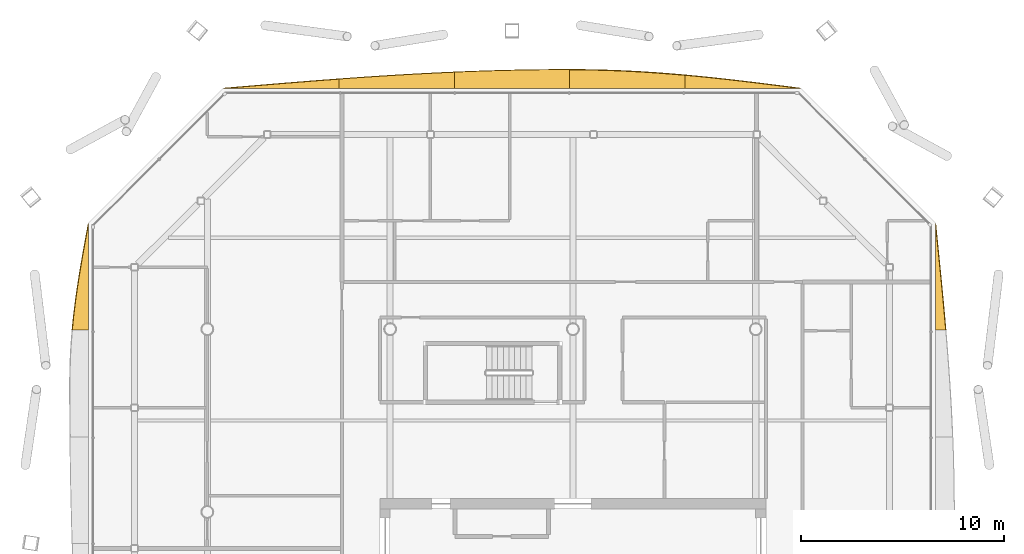
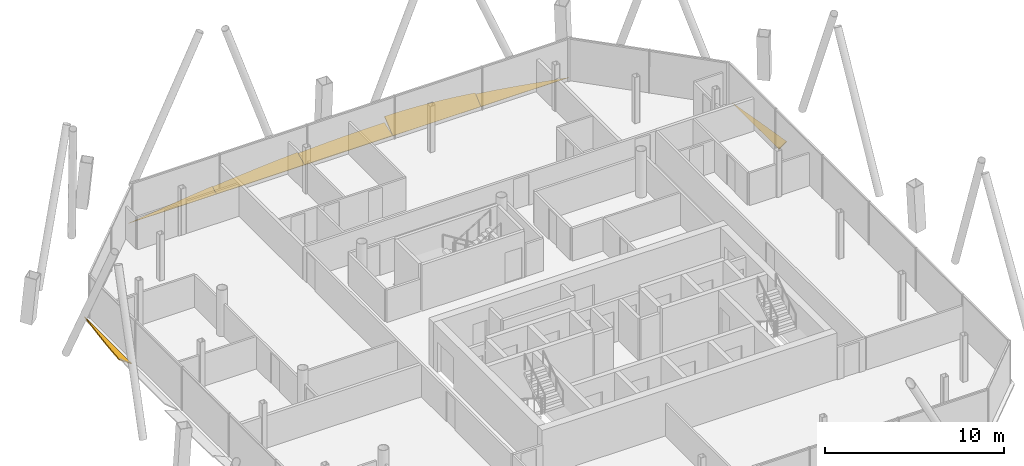
# One storey, part 20 of 20: 7 shading devices.
"""IFC4 building model written with IfcOpenShell, lengths in metres."""

import ifcopenshell
import ifcopenshell.guid

model = None  # the IFC model being written
_history = None  # IfcOwnerHistory: only IFC2X3 demands one
_inside = {}  # id of a spatial element -> (the spatial element, [elements in it])
_under = {}  # id of a project, library or spatial element -> (it, [spatial elements below it])
_declared = {}  # id of a project -> (the project, [libraries it declares])
_typed = {}  # id of a type object -> (the type object, [elements of that type])
_made_of = {}  # id of a material, layer set ... -> (it, [elements and type objects made of it])


def new_model(schema):
    """Start an empty IFC model of exactly this schema.

    Asked for "IFC4X3", IfcOpenShell would pick the latest addendum, in which some entities
    have other attributes; the version numbers below select the first issue.
    IFC2X3 requires an IfcOwnerHistory on every rooted entity: one is made here for all.
    """
    global model, _history
    if schema == "IFC4X3":
        model = ifcopenshell.file(schema_version=(4, 3, 0, 0))
    else:
        model = ifcopenshell.file(schema=schema)
    _inside.clear()
    _under.clear()
    _declared.clear()
    _typed.clear()
    _made_of.clear()
    _history = None
    if model.schema == "IFC2X3":
        org = make("IfcOrganization", Name="unknown")
        user = make(
            "IfcPersonAndOrganization",
            ThePerson=make("IfcPerson", FamilyName="unknown"),
            TheOrganization=org,
        )
        app = make(
            "IfcApplication",
            ApplicationDeveloper=org,
            Version="unknown",
            ApplicationFullName="unknown",
            ApplicationIdentifier="unknown",
        )
        _history = make(
            "IfcOwnerHistory",
            OwningUser=user,
            OwningApplication=app,
            ChangeAction="ADDED",
            CreationDate=0,
        )
    return model


def make(cls, **values):
    """One entity of the class cls with the attributes given. An attribute that is None is left unset."""
    return model.create_entity(
        cls, **{name: value for name, value in values.items() if value is not None}
    )


def rooted(cls, **values):
    """An entity with a GlobalId (a new one), such as an element, a storey or a relation."""
    return make(cls, GlobalId=ifcopenshell.guid.new(), OwnerHistory=_history, **values)


def si_unit(unit_type, name, prefix=None):
    """IfcSIUnit, for example si_unit("LENGTHUNIT", "METRE", prefix="MILLI")."""
    return make("IfcSIUnit", UnitType=unit_type, Prefix=prefix, Name=name)


def assignment(units):
    """IfcUnitAssignment: the units of a project."""
    return None if units is None else make("IfcUnitAssignment", Units=units)


def point(xyz):
    """IfcCartesianPoint."""
    return None if xyz is None else make("IfcCartesianPoint", Coordinates=xyz)


def direction(xyz):
    """IfcDirection."""
    return None if xyz is None else make("IfcDirection", DirectionRatios=xyz)


def frame(location, z_axis=None, x_axis=None):
    """IfcAxis2Placement3D, a coordinate frame: its origin and axes. An axis left out is left unset."""
    return make(
        "IfcAxis2Placement3D",
        Location=point(location),
        Axis=direction(z_axis),
        RefDirection=direction(x_axis),
    )


def origin():
    """The frame at (0, 0, 0) with its axes left unset."""
    return frame((0.0, 0.0, 0.0))


def place(relative_to, where):
    """IfcLocalPlacement: puts the frame where relative to a parent placement (None: the world)."""
    return make(
        "IfcLocalPlacement", PlacementRelTo=relative_to, RelativePlacement=where
    )


def context(
    kind, dimensions, precision=None, world=None, true_north=None, identifier=None
):
    """IfcGeometricRepresentationContext, for example the 3D "Model" context."""
    return make(
        "IfcGeometricRepresentationContext",
        ContextIdentifier=identifier,
        ContextType=kind,
        CoordinateSpaceDimension=dimensions,
        Precision=precision,
        WorldCoordinateSystem=world,
        TrueNorth=true_north,
    )


def subcontext(parent, identifier, kind, view, scale=None):
    """IfcGeometricRepresentationSubContext, for example "Body" below "Model"."""
    return make(
        "IfcGeometricRepresentationSubContext",
        ContextIdentifier=identifier,
        ContextType=kind,
        ParentContext=parent,
        TargetScale=scale,
        TargetView=view,
    )


def project(units=None, contexts=None):
    """IfcProject with its units and contexts."""
    return rooted(
        "IfcProject",
        Name="project",
        RepresentationContexts=contexts,
        UnitsInContext=assignment(units),
    )


def spatial(cls, under=None, at=None, **own):
    """A site, building, storey or space (cls), placed at a placement, below another one or the project."""
    s = rooted(cls, ObjectPlacement=at, **own)
    if under is not None:
        _under.setdefault(under.id(), (under, []))[1].append(s)
    return s


def polyline(points):
    """IfcPolyline through the points."""
    return make("IfcPolyline", Points=[point(p) for p in points])


def outline(outer, holes=None, kind="AREA"):
    """IfcArbitraryClosedProfileDef: a profile drawn as a closed curve; with holes, ...WithVoids."""
    if holes is None:
        return make("IfcArbitraryClosedProfileDef", ProfileType=kind, OuterCurve=outer)
    return make(
        "IfcArbitraryProfileDefWithVoids",
        ProfileType=kind,
        OuterCurve=outer,
        InnerCurves=holes,
    )


def extrude(swept, where, along, depth):
    """IfcExtrudedAreaSolid: the profile swept, set in the frame where, extruded along a direction by depth."""
    return make(
        "IfcExtrudedAreaSolid",
        SweptArea=swept,
        Position=where,
        ExtrudedDirection=direction(along),
        Depth=depth,
    )


def shape(context_of_items, identifier, shape_type, items):
    """IfcShapeRepresentation: the items that make up one representation, for example the "Body"."""
    return make(
        "IfcShapeRepresentation",
        ContextOfItems=context_of_items,
        RepresentationIdentifier=identifier,
        RepresentationType=shape_type,
        Items=items,
    )


def material(Name=None, Category=None):
    """IfcMaterial."""
    return make("IfcMaterial", Name=Name, Category=Category)


def layer(
    of_material, thickness, ventilated=None, Name=None, Category=None, Priority=None
):
    """IfcMaterialLayer: one layer of a wall or slab, of a material (None: an air gap)."""
    return make(
        "IfcMaterialLayer",
        Material=of_material,
        LayerThickness=thickness,
        IsVentilated=ventilated,
        Name=Name,
        Category=Category,
        Priority=Priority,
    )


def layer_set(layers, Name=None):
    """IfcMaterialLayerSet."""
    return make("IfcMaterialLayerSet", MaterialLayers=layers, LayerSetName=Name)


def made_of(thing, what):
    """Note that an element or type object is made of a material, layer set ...; save() writes the relation."""
    if what is not None:
        _made_of.setdefault(what.id(), (what, []))[1].append(thing)
    return thing


def type_object(cls, material=None, **own):
    """A type object (cls), such as IfcWallType, which elements share."""
    return made_of(rooted(cls, **own), material)


def element(
    cls,
    number,
    at=None,
    inside=None,
    cuts=None,
    type_object=None,
    material=None,
    context=None,
    identifier="Body",
    shape_type=None,
    held_by="IfcProductDefinitionShape",
    body=None,
    shapes=None,
    **own,
):
    """One element of the class cls, such as IfcWall. Its Tag is "e" and its number.

    at: its placement. inside: the storey or other place that contains it. cuts: it is an
    opening in that element (IfcRelVoidsElement). A single representation is given by context,
    identifier, shape_type and body (its items); several are given by shapes. held_by: the class
    of the entity that holds the representations. save() writes the other relations.
    """
    e = rooted(cls, Tag="e%d" % number, ObjectPlacement=at, **own)
    if body is not None:
        shapes = [shape(context, identifier, shape_type, body)]
    if shapes is not None:
        e.Representation = make(held_by, Representations=shapes)
    if inside is not None:
        _inside.setdefault(inside.id(), (inside, []))[1].append(e)
    if cuts is not None:
        rooted(
            "IfcRelVoidsElement", RelatingBuildingElement=cuts, RelatedOpeningElement=e
        )
    if type_object is not None:
        _typed.setdefault(type_object.id(), (type_object, []))[1].append(e)
    return made_of(e, material)


def aggregate(whole, parts):
    """IfcRelAggregates: a whole, such as a stair, and the parts it consists of."""
    return rooted("IfcRelAggregates", RelatingObject=whole, RelatedObjects=parts)


def save(model, path):
    """Write the relations noted so far, then the file.

    IfcRelAggregates (storeys below a building ...), IfcRelContainedInSpatialStructure (elements
    in a storey), IfcRelDefinesByType, IfcRelAssociatesMaterial and IfcRelDeclares: one each for
    every whole, place, type object, material and project.
    """
    for whole, parts in _under.values():
        aggregate(whole, parts)
    for where, things in _inside.values():
        rooted(
            "IfcRelContainedInSpatialStructure",
            RelatedElements=things,
            RelatingStructure=where,
        )
    for kind, things in _typed.values():
        rooted("IfcRelDefinesByType", RelatedObjects=things, RelatingType=kind)
    for what, things in _made_of.values():
        rooted("IfcRelAssociatesMaterial", RelatedObjects=things, RelatingMaterial=what)
    for by, libraries in _declared.values():
        rooted("IfcRelDeclares", RelatingContext=by, RelatedDefinitions=libraries)
    model.write(path)


model = new_model("IFC4")

# Units and contexts
model_context = context("Model", 3, precision=1e-05, world=origin(), true_north=direction((0.0, 1.0)))
body_context = subcontext(model_context, "Body", "Model", "MODEL_VIEW")
ifc_project = project(units=[si_unit("LENGTHUNIT", "METRE"), si_unit("AREAUNIT", "SQUARE_METRE"), si_unit("VOLUMEUNIT", "CUBIC_METRE"), si_unit("PLANEANGLEUNIT", "RADIAN"), si_unit("MASSUNIT", "GRAM", prefix="KILO")], contexts=[model_context])

# Site, building, storey
site_placement = place(None, origin())
site = spatial("IfcSite", under=ifc_project, at=site_placement, CompositionType="ELEMENT")
building_placement = place(site_placement, origin())
building = spatial("IfcBuilding", under=site, at=building_placement, Name="Tskaro Facet Tower", CompositionType="ELEMENT")
storey_placement = place(building_placement, frame((0.0, 0.0, 181.64990234375)))
storey = spatial("IfcBuildingStorey", under=building, at=storey_placement, Name="L45", CompositionType="ELEMENT", Elevation=181.64990234375)

# Shading devices
ifc_material = material(Name="Bronze anodised aluminium 6063-T6", Category="aluminium")
ifc_layer = layer(ifc_material, 0.06005859375, Name="Bronze anodised aluminium 6063-T6")
ifc_layer_set = layer_set([ifc_layer], Name="Bronze anodised aluminium 6063-T6")
shading_device_type = type_object("IfcShadingDeviceType", Name="Bronze sun blade (FN1)", PredefinedType="USERDEFINED", material=ifc_layer_set)
shading_device_1_placement = place(storey_placement, frame((17.843505859375, 8.951171875, 0.04931640625), z_axis=(-0.57338150137, 1.5603307e-05, 0.819288504522), x_axis=(8.946647e-06, 0.999999999878, -1.278361e-05)))
element("IfcShadingDevice", 1, at=shading_device_1_placement, inside=storey, type_object=shading_device_type, Name="Fin blade east 6", ObjectType="FIN", PredefinedType="USERDEFINED", context=body_context, shape_type="SweptSolid", body=[
    extrude(outline(polyline([(0.0, 0.0), (5.252929686860552, 4.449404514922736e-21), (4.596191405877333, -0.0813431710295302), (3.9396972664558407, -0.16234633473336155), (3.282958986098656, -0.2424694621782214), (2.6264648416872376, -0.3213125101489622), (1.9697265613346409, -0.39845552149120883), (1.3132324219223264, -0.4734984529898136), (0.6564941400161132, -0.5462412830372028), (-1.2605411372322578e-09, -0.6160039969819786), (0.0, 0.0)])), origin(), (0.0, 0.0, -1.0), 0.06005859375),
])
shading_device_2_placement = place(storey_placement, frame((11.2041015625, 20.843505859375, 0.04931640625), z_axis=(1.4408195e-05, -0.573384540992, 0.819286377248), x_axis=(-0.999999999896, -8.261436e-06, 1.1804438e-05)))
element("IfcShadingDevice", 2, at=shading_device_2_placement, inside=storey, type_object=shading_device_type, Name="Fin blade north 1", ObjectType="FIN", PredefinedType="USERDEFINED", context=body_context, shape_type="SweptSolid", body=[
    extrude(outline(polyline([(0.0, 0.0), (5.6816406244102575, 4.812536803833515e-21), (5.681640625503092, -0.7986711157872588), (4.971435546763691, -0.7169879372542791), (4.261230469455068, -0.6279244616921987), (3.5510253921382877, -0.5329007539227508), (2.8408203116444395, -0.4326568636708009), (2.1306152334504365, -0.32835280004186784), (1.420410154387365, -0.2207286127608173), (0.710205077050197, -0.11080432447295036), (0.0, 0.0)])), origin(), (0.0, 0.0, -1.0), 0.06005859375),
])
shading_device_3_placement = place(storey_placement, frame((5.5224609375, 20.83935546875, 0.046142578125), z_axis=(-4.806261e-06, -0.642723584902, 0.766098161718), x_axis=(-0.999999999988, 3.089097e-06, -3.682068e-06)))
element("IfcShadingDevice", 3, at=shading_device_3_placement, inside=storey, type_object=shading_device_type, Name="Fin blade north 2", ObjectType="FIN", PredefinedType="USERDEFINED", context=body_context, shape_type="SweptSolid", body=[
    extrude(outline(polyline([(0.0, 0.0), (5.681640624934377, 0.0), (5.6816406248467, -1.203353265545274), (5.624755859222358, -1.203353265545274), (4.971435546349368, -1.1983208004106425), (4.261230468568976, -1.181690687582076), (3.551025390606586, -1.1536198419972967), (2.840820312317427, -1.1144522142780422), (2.130615234455674, -1.0643748401083275), (1.4204101568765597, -1.0037316701098904), (0.7102050783916045, -0.933367520463927), (-5.345535530596984e-10, -0.8541573280979278), (0.0, 0.0)])), origin(), (0.0, 0.0, -1.0), 0.06005859375),
])
shading_device_4_placement = place(storey_placement, frame((-0.1591796875, 20.857421875, 0.056396484375), z_axis=(1.6592566e-05, -0.342099287231, 0.939663810839), x_axis=(-0.999999999862, -5.676305e-06, 1.5591434e-05)))
element("IfcShadingDevice", 4, at=shading_device_4_placement, inside=storey, type_object=shading_device_type, Name="Fin blade north 3", ObjectType="FIN", PredefinedType="USERDEFINED", context=body_context, shape_type="SweptSolid", body=[
    extrude(outline(polyline([(0.0, 0.0), (5.681640624217885, 0.0), (5.681640624422996, -0.8477873458194698), (4.9714355479348145, -0.8782197030548876), (4.261230468009052, -0.9049391967460603), (3.551025391223845, -0.9275705270065967), (2.840820311001056, -0.9464889937228884), (2.1306152339188213, -0.9613192970085436), (1.420410156170639, -0.9719779165297544), (0.7102050777565084, -0.9784648522865207), (-2.7093865957631102e-09, -0.9810095143889423), (0.0, 0.0)])), origin(), (0.0, 0.0, -1.0), 0.06005859375),
])
shading_device_5_placement = place(storey_placement, frame((-5.8408203125, 20.8525390625, 0.054443359375), z_axis=(-4.564566e-06, -0.42262507785, 0.90630460859), x_axis=(-0.99999999999, 1.9291e-06, -4.136887e-06)))
element("IfcShadingDevice", 5, at=shading_device_5_placement, inside=storey, type_object=shading_device_type, Name="Fin blade north 4", ObjectType="FIN", PredefinedType="USERDEFINED", context=body_context, shape_type="SweptSolid", body=[
    extrude(outline(polyline([(0.0, 0.0), (5.681640624940811, 2.4062684019167575e-21), (5.681640624545144, -0.507014182553781), (4.971435547363323, -0.5634884502192489), (4.261230468501731, -0.6174405202969342), (3.551025390451305, -0.6688852986591247), (2.840820312270102, -0.7173802537586528), (2.1306152349681033, -0.7628222056448701), (1.4204101560543736, -0.8051962484454892), (0.7102050780878869, -0.8439715765349821), (-4.123100430421945e-10, -0.8790301040904127), (0.0, 0.0)])), origin(), (0.0, 0.0, -1.0), 0.06005859375),
])
shading_device_6_placement = place(storey_placement, frame((-11.5224609375, 20.847900390625, 0.052001953125), z_axis=(-1.5687e-05, -0.500001363538, 0.866024616402), x_axis=(-0.999999999877, 7.843522e-06, -1.3585328e-05)))
element("IfcShadingDevice", 6, at=shading_device_6_placement, inside=storey, type_object=shading_device_type, Name="Fin blade north 5", ObjectType="FIN", PredefinedType="USERDEFINED", context=body_context, shape_type="SweptSolid", body=[
    extrude(outline(polyline([(0.0, 0.0), (5.681640624300925, -4.812536803833515e-21), (4.971435548273364, -0.06955768405974624), (4.26123046841596, -0.13869250453721307), (3.5510253913621708, -0.20716032014158023), (2.840820309965424, -0.27466033793597844), (2.130615232774102, -0.3411598484207271), (1.4204101559583602, -0.4062359880135469), (0.7102050790050851, -0.4693438224867481), (-1.4024540209982717e-09, -0.530605422485741), (0.0, 0.0)])), origin(), (0.0, 0.0, -1.0), 0.06005859375),
])
shading_device_7_placement = place(storey_placement, frame((-23.843505859375, 14.2041015625, 0.04931640625), z_axis=(0.573454759014, -2.952402e-06, 0.819237230206), x_axis=(-1.693069e-06, -0.999999999996, -2.418717e-06)))
element("IfcShadingDevice", 7, at=shading_device_7_placement, inside=storey, type_object=shading_device_type, Name="Fin blade west 1", ObjectType="FIN", PredefinedType="USERDEFINED", context=body_context, shape_type="SweptSolid", body=[
    extrude(outline(polyline([(0.0, 0.0), (5.252929687477106, 0.0), (5.252929687568438, -0.9792381553238175), (4.596435546476125, -0.897694976600782), (3.939697265526889, -0.8007712009968151), (3.2832031248487383, -0.6896268701932387), (2.626464843959261, -0.5667620840110899), (1.9699707032226543, -0.4338769059137795), (1.3132324221565057, -0.2934714357223444), (0.6567382811840381, -0.1481257713749663), (0.0, 0.0)])), origin(), (0.0, 0.0, -1.0), 0.06005859375),
])

save(model, "model.ifc")
